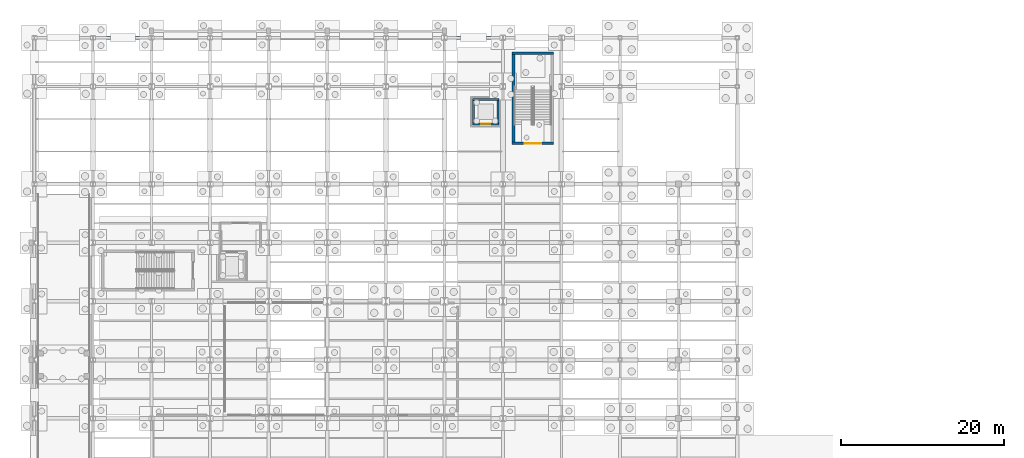
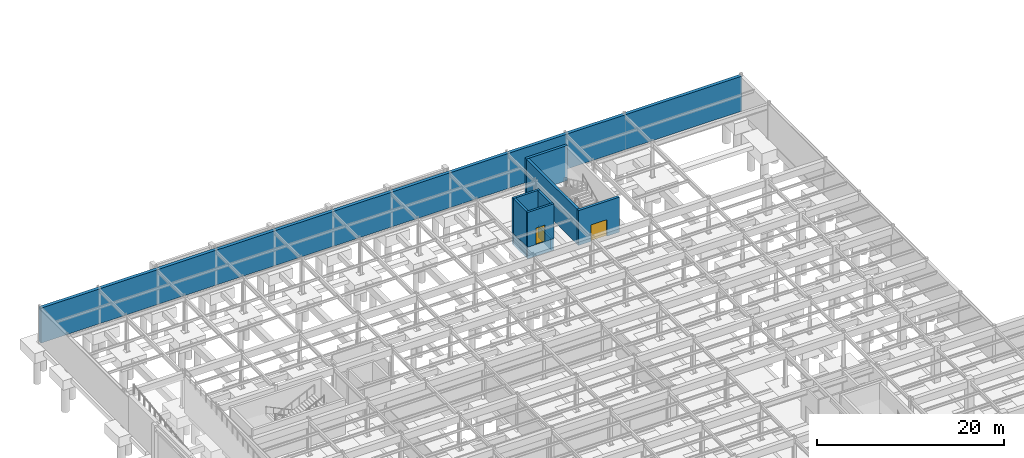
# One storey, part 48 of 64: 12 walls, 2 doors, 2 openings.
"""IFC4 building model written with IfcOpenShell, lengths in metres."""

from ifc_helpers import new_model, si_unit, direction, frame, frame_2d, origin, place, context, subcontext, project, spatial, rectangle, extrude, material, layer, layer_set, type_object, element, fill, save


model = new_model("IFC4")

# Units and contexts
model_context = context("Model", 3, precision=1e-05, world=origin(), true_north=direction((0.0, 1.0)))
body_context = subcontext(model_context, "Body", "Model", "MODEL_VIEW")
ifc_project = project(units=[si_unit("LENGTHUNIT", "METRE"), si_unit("AREAUNIT", "SQUARE_METRE"), si_unit("VOLUMEUNIT", "CUBIC_METRE"), si_unit("PLANEANGLEUNIT", "RADIAN"), si_unit("MASSUNIT", "GRAM", prefix="KILO")], contexts=[model_context])

# Site, building, storey
site_placement = place(None, origin())
site = spatial("IfcSite", under=ifc_project, at=site_placement, CompositionType="ELEMENT")
building_placement = place(site_placement, origin())
building = spatial("IfcBuilding", under=site, at=building_placement, Name="Solvadek Multi-Sports Hall", CompositionType="ELEMENT")
storey_placement = place(building_placement, frame((0.0, 0.0, -4.800048828125)))
storey = spatial("IfcBuildingStorey", under=building, at=storey_placement, Name="B1", CompositionType="ELEMENT", Elevation=-4.800048828125)

# Walls
ifc_material_1 = material(Name="Concrete M40", Category="concrete")
ifc_layer_1 = layer(ifc_material_1, 0.39990234375, Name="Concrete M40")
ifc_layer_set_1 = layer_set([ifc_layer_1], Name="Concrete M40")
wall_type_1 = type_object("IfcWallType", Name="ENV-WAL-RET400", PredefinedType="USERDEFINED", material=ifc_layer_set_1)
wall_1_placement = place(storey_placement, frame((86.39990234375, 110.39990234375, 0.0), z_axis=(0.0, 0.0, 1.0), x_axis=(-1.0, 0.0, 0.0)))
element("IfcWall", 1, at=wall_1_placement, inside=storey, type_object=wall_type_1, Name="B1 Basement Retaining Wall #68", ObjectType="RETAININGWALL", PredefinedType="USERDEFINED", context=body_context, shape_type="SweptSolid", body=[
    extrude(rectangle(XDim=86.39990234375, YDim=0.39990234375, at=frame_2d((43.199951171875, 0.0))), origin(), (0.0, 0.0, 1.0), 4.550048828125),
])
ifc_layer_2 = layer(ifc_material_1, 0.260009765625, Name="Concrete M40")
ifc_layer_set_2 = layer_set([ifc_layer_2], Name="Concrete M40")
wall_type_2 = type_object("IfcWallType", Name="INT-WAL-SHR260", PredefinedType="SHEAR", material=ifc_layer_set_2)
for number, where, z_axis, x_axis, name in (
    (2, (53.8701171875, 99.800048828125, -1.5), (0.0, 0.0, 1.0), (1.0, 0.0, 0.0), "Lift LP-01 Shaft Shear Wall pit south"),
    (3, (53.8701171875, 102.800048828125, -1.5), (0.0, 0.0, 1.0), (1.0, 0.0, 0.0), "Lift LP-01 Shaft Shear Wall pit north"),
):
    element("IfcWall", number, at=place(storey_placement, frame(where, z_axis=z_axis, x_axis=x_axis)), inside=storey, type_object=wall_type_2, Name=name, PredefinedType="SHEAR", context=body_context, shape_type="SweptSolid", body=[
        extrude(rectangle(XDim=3.259765625, YDim=0.260009765625, at=frame_2d((1.6298828125, 0.0))), origin(), (0.0, 0.0, 1.0), 1.5),
    ])
for number, where, z_axis, x_axis, name in (
    (4, (54.0, 99.929931640625, -1.5), (0.0, 0.0, 1.0), (0.0, 1.0, 0.0), "Lift LP-01 Shaft Shear Wall pit west"),
    (5, (57.0, 99.929931640625, -1.5), (0.0, 0.0, 1.0), (0.0, 1.0, 0.0), "Lift LP-01 Shaft Shear Wall pit east"),
):
    element("IfcWall", number, at=place(storey_placement, frame(where, z_axis=z_axis, x_axis=x_axis)), inside=storey, type_object=wall_type_2, Name=name, PredefinedType="SHEAR", context=body_context, shape_type="SweptSolid", body=[
        extrude(rectangle(XDim=2.739990234375, YDim=0.260009765625, at=frame_2d((1.3701171875, 0.0))), origin(), (0.0, 0.0, 1.0), 1.5),
    ])

# Wall, opening, door
wall_2_placement = place(storey_placement, frame((53.8701171875, 99.800048828125, 0.0), z_axis=(0.0, 0.0, 1.0), x_axis=(1.0, 0.0, 0.0)))
wall_2 = element("IfcWall", 6, at=wall_2_placement, inside=storey, type_object=wall_type_2, Name="Lift LP-01 Shaft Shear Wall B1 south", PredefinedType="SHEAR", context=body_context, shape_type="SweptSolid", body=[
    extrude(rectangle(XDim=3.259765625, YDim=0.260009765625, at=frame_2d((1.6298828125, 0.0))), origin(), (0.0, 0.0, 1.0), 4.550048828125),
])
opening_1_placement = place(wall_2_placement, frame((1.080078125, 0.0, 0.0)))
opening_1 = element("IfcOpeningElement", 7, at=opening_1_placement, cuts=wall_2, Name="Opening LD-11", PredefinedType="OPENING", context=body_context, shape_type="SweptSolid", body=[
    extrude(rectangle(XDim=1.10009765625, YDim=2.14990234375, at=frame_2d((0.550048828125, 1.074951171875))), frame((0.0, 0.139892578125, 0.0), z_axis=(0.0, -1.0, 0.0), x_axis=(1.0, 0.0, 0.0)), (0.0, 0.0, 1.0), 0.280029296875),
])
ifc_material_2 = material(Name="Anodised aluminium", Category="aluminium")
door_type_1 = type_object("IfcDoorType", Name="INT-DOR-LD110X215", OperationType="DOUBLE_DOOR_SLIDING", PredefinedType="DOOR", material=ifc_material_2)
door_1_placement = place(opening_1_placement, origin())
door_1 = element("IfcDoor", 8, at=door_1_placement, inside=storey, type_object=door_type_1, Name="B1 Lift LP-01 Sliding Landing Door LD-11", OperationType="DOUBLE_DOOR_SLIDING", OverallHeight=2.14990234375, OverallWidth=1.10009765625, PredefinedType="DOOR", context=body_context, shape_type="SweptSolid", body=[
    extrude(rectangle(XDim=1.10009765625, YDim=2.14990234375, at=frame_2d((0.550048828125, 1.074951171875))), frame((0.0, 0.02490234375, 0.0), z_axis=(0.0, -1.0, 0.0), x_axis=(1.0, 0.0, 0.0)), (0.0, 0.0, 1.0), 0.050048828125),
])
fill(opening_1, door_1)

# Walls
wall_3_placement = place(storey_placement, frame((53.8701171875, 102.800048828125, 0.0), z_axis=(0.0, 0.0, 1.0), x_axis=(1.0, 0.0, 0.0)))
element("IfcWall", 9, at=wall_3_placement, inside=storey, type_object=wall_type_2, Name="Lift LP-01 Shaft Shear Wall B1 north", PredefinedType="SHEAR", context=body_context, shape_type="SweptSolid", body=[
    extrude(rectangle(XDim=3.259765625, YDim=0.260009765625, at=frame_2d((1.6298828125, 0.0))), origin(), (0.0, 0.0, 1.0), 4.550048828125),
])
for number, where, z_axis, x_axis, name in (
    (10, (54.0, 99.929931640625, 0.0), (0.0, 0.0, 1.0), (0.0, 1.0, 0.0), "Lift LP-01 Shaft Shear Wall B1 west"),
    (11, (57.0, 99.929931640625, 0.0), (0.0, 0.0, 1.0), (0.0, 1.0, 0.0), "Lift LP-01 Shaft Shear Wall B1 east"),
):
    element("IfcWall", number, at=place(storey_placement, frame(where, z_axis=z_axis, x_axis=x_axis)), inside=storey, type_object=wall_type_2, Name=name, PredefinedType="SHEAR", context=body_context, shape_type="SweptSolid", body=[
        extrude(rectangle(XDim=2.739990234375, YDim=0.260009765625, at=frame_2d((1.3701171875, 0.0))), origin(), (0.0, 0.0, 1.0), 4.550048828125),
    ])

# Wall, opening, door
ifc_layer_3 = layer(ifc_material_1, 0.320068359375, Name="Concrete M40")
ifc_layer_set_3 = layer_set([ifc_layer_3], Name="Concrete M40")
wall_type_3 = type_object("IfcWallType", Name="INT-WAL-SHR320", PredefinedType="SHEAR", material=ifc_layer_set_3)
wall_4_placement = place(storey_placement, frame((58.739990234375, 97.39990234375, 0.0), z_axis=(0.0, 0.0, 1.0), x_axis=(1.0, 0.0, 0.0)))
wall_4 = element("IfcWall", 12, at=wall_4_placement, inside=storey, type_object=wall_type_3, Name="B1 Stair ST-03 Shear Wall S", PredefinedType="SHEAR", context=body_context, shape_type="SweptSolid", body=[
    extrude(rectangle(XDim=5.070068359375, YDim=0.320068359375, at=frame_2d((2.53515625, 0.0))), origin(), (0.0, 0.0, 1.0), 4.550048828125),
])
opening_2_placement = place(wall_4_placement, frame((1.534912109375, 0.0, 0.0)))
opening_2 = element("IfcOpeningElement", 13, at=opening_2_placement, cuts=wall_4, Name="Opening FD120", PredefinedType="OPENING", context=body_context, shape_type="SweptSolid", body=[
    extrude(rectangle(XDim=2.0, YDim=2.14990234375, at=frame_2d((1.0, 1.074951171875))), frame((0.0, 0.169921875, 0.0), z_axis=(0.0, -1.0, 0.0), x_axis=(1.0, 0.0, 0.0)), (0.0, 0.0, 1.0), 0.340087890625),
])
ifc_material_3 = material(Name="Steel E250 (250 MPa)", Category="steel")
door_type_2 = type_object("IfcDoorType", Name="INT-DOR-FD200X215", OperationType="DOUBLE_DOOR_SINGLE_SWING", PredefinedType="DOOR", material=ifc_material_3)
door_2_placement = place(opening_2_placement, origin())
door_2 = element("IfcDoor", 14, at=door_2_placement, inside=storey, type_object=door_type_2, Name="B1 Stair ST-03 Fire Door", OperationType="DOUBLE_DOOR_SINGLE_SWING", OverallHeight=2.14990234375, OverallWidth=2.0, PredefinedType="DOOR", context=body_context, shape_type="SweptSolid", body=[
    extrude(rectangle(XDim=2.0, YDim=2.14990234375, at=frame_2d((1.0, 1.074951171875))), frame((0.0, 0.02490234375, 0.0), z_axis=(0.0, -1.0, 0.0), x_axis=(1.0, 0.0, 0.0)), (0.0, 0.0, 1.0), 0.050048828125),
])
fill(opening_2, door_2)

# Walls
wall_5_placement = place(storey_placement, frame((58.739990234375, 108.5, 0.0), z_axis=(0.0, 0.0, 1.0), x_axis=(1.0, 0.0, 0.0)))
element("IfcWall", 15, at=wall_5_placement, inside=storey, type_object=wall_type_3, Name="B1 Stair ST-03 Shear Wall N", PredefinedType="SHEAR", context=body_context, shape_type="SweptSolid", body=[
    extrude(rectangle(XDim=5.070068359375, YDim=0.320068359375, at=frame_2d((2.53515625, 0.0))), origin(), (0.0, 0.0, 1.0), 4.550048828125),
])
wall_6_placement = place(storey_placement, frame((58.89990234375, 97.56005859375, 0.0), z_axis=(0.0, 0.0, 1.0), x_axis=(0.0, 1.0, 0.0)))
element("IfcWall", 16, at=wall_6_placement, inside=storey, type_object=wall_type_3, Name="B1 Stair ST-03 Shear Wall W", PredefinedType="SHEAR", context=body_context, shape_type="SweptSolid", body=[
    extrude(rectangle(XDim=10.780029296875, YDim=0.320068359375, at=frame_2d((5.39013671875, 0.0))), origin(), (0.0, 0.0, 1.0), 4.550048828125),
])

save(model, "model.ifc")
